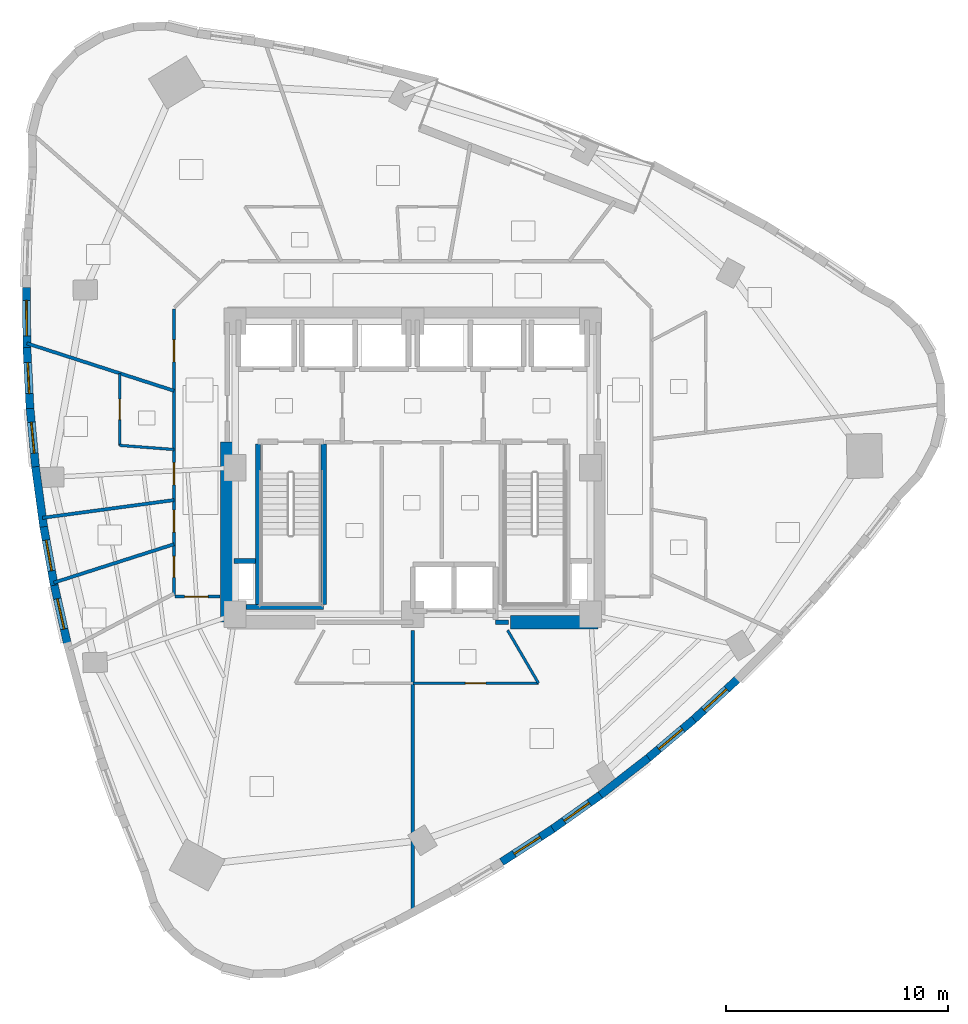
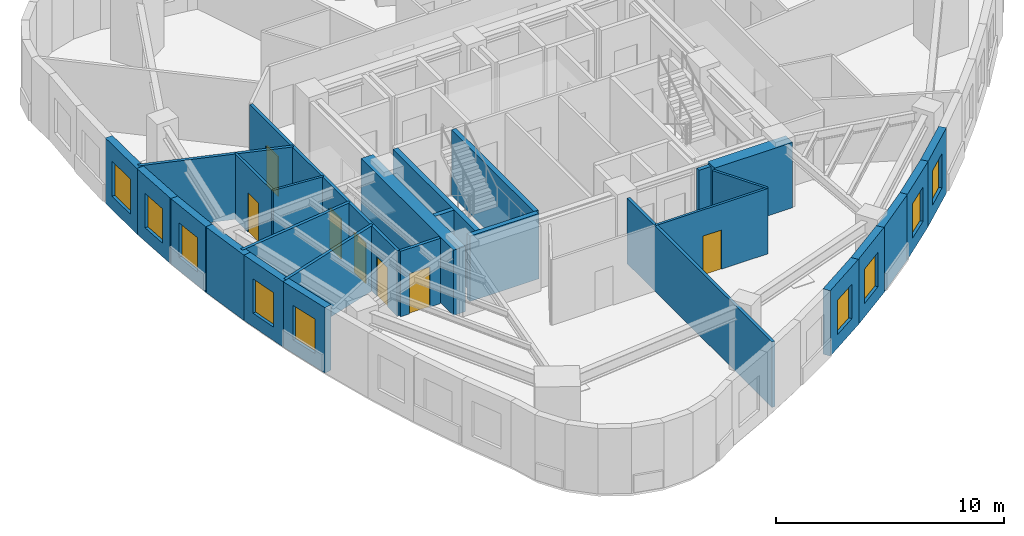
# One storey, part 6 of 12: 28 walls, 9 windows, 7 doors, 16 openings.
"""IFC4 building model written with IfcOpenShell, lengths in metres."""

from ifc_helpers import new_model, si_unit, direction, frame, frame_2d, origin, place, context, subcontext, project, spatial, rectangle, extrude, material, layer, layer_set, type_object, element, fill, save


model = new_model("IFC4")

# Units and contexts
model_context = context("Model", 3, precision=1e-05, world=origin(), true_north=direction((0.0, 1.0)))
body_context = subcontext(model_context, "Body", "Model", "MODEL_VIEW")
ifc_project = project(units=[si_unit("LENGTHUNIT", "METRE"), si_unit("AREAUNIT", "SQUARE_METRE"), si_unit("VOLUMEUNIT", "CUBIC_METRE"), si_unit("PLANEANGLEUNIT", "RADIAN"), si_unit("MASSUNIT", "GRAM", prefix="KILO")], contexts=[model_context])

# Site, building, storey
site_placement = place(None, origin())
site = spatial("IfcSite", under=ifc_project, at=site_placement, CompositionType="ELEMENT")
building_placement = place(site_placement, origin())
building = spatial("IfcBuilding", under=site, at=building_placement, Name="Ndelora Gate Hotel", CompositionType="ELEMENT")
storey_placement = place(building_placement, frame((0.0, 0.0, 153.5)))
storey = spatial("IfcBuildingStorey", under=building, at=storey_placement, Name="L38", CompositionType="ELEMENT", Elevation=153.5)

# Wall, opening, window
ifc_material_1 = material(Name="Clay Brick Masonry", Category="masonry")
ifc_layer_1 = layer(ifc_material_1, 0.360107421875)
ifc_layer_set_1 = layer_set([ifc_layer_1], Name="Clay Brick Masonry")
wall_type_1 = type_object("IfcWallType", Name="WL-BRICK-360", PredefinedType="SOLIDWALL", material=ifc_layer_set_1)
wall_1_placement = place(storey_placement, frame((-17.373779296875, 5.3603515625, 0.0), z_axis=(0.0, 0.0, 1.0), x_axis=(-0.009381778629, 0.999955990146, 0.0)))
wall_1 = element("IfcWall", 1, at=wall_1_placement, inside=storey, type_object=wall_type_1, Name="L38 Tower Brick Pier-and-Spandrel Wall TWR-11", PredefinedType="SOLIDWALL", context=body_context, shape_type="SweptSolid", body=[
    extrude(rectangle(XDim=2.75830078125, YDim=0.360107421875, at=frame_2d((1.379150390625, 0.0))), origin(), (0.0, 0.0, 1.0), 3.5),
])
opening_1_placement = place(wall_1_placement, frame((0.5791015625, 0.0, 0.719970703125)))
opening_1 = element("IfcOpeningElement", 2, at=opening_1_placement, cuts=wall_1, Name="Opening W01", PredefinedType="OPENING", context=body_context, shape_type="SweptSolid", body=[
    extrude(rectangle(XDim=1.60009765625, YDim=1.8798828125, at=frame_2d((0.800048828125, 0.93994140625))), frame((0.0, 0.18994140625, 0.0), z_axis=(0.0, -1.0, 0.0), x_axis=(1.0, 0.0, 0.0)), (0.0, 0.0, 1.0), 0.380126953125),
])
ifc_material_2 = material(Name="Insulated Low-E Double Glazing in Bronze Aluminium Frame", Category="aluminium")
window_type_1 = type_object("IfcWindowType", Name="WN-DEEP-1600", PartitioningType="SINGLE_PANEL", PredefinedType="WINDOW", material=ifc_material_2)
window_1_placement = place(opening_1_placement, origin())
window_1 = element("IfcWindow", 3, at=window_1_placement, inside=storey, type_object=window_type_1, Name="L38 Deep-Set Brick-Pier Window W01", OverallHeight=1.8798828125, OverallWidth=1.60009765625, PartitioningType="SINGLE_PANEL", PredefinedType="WINDOW", context=body_context, shape_type="SweptSolid", body=[
    extrude(rectangle(XDim=1.60009765625, YDim=1.8798828125, at=frame_2d((0.800048828125, 0.93994140625))), frame((0.0, 0.030029296875, 0.0), z_axis=(0.0, -1.0, 0.0), x_axis=(1.0, 0.0, 0.0)), (0.0, 0.0, 1.0), 0.06005859375),
])
fill(opening_1, window_1)

wall_2_placement = place(storey_placement, frame((-17.23486328125, 2.669921875, 0.0), z_axis=(0.0, 0.0, 1.0), x_axis=(-0.051157869298, 0.998690578913, 0.0)))
wall_2 = element("IfcWall", 4, at=wall_2_placement, inside=storey, type_object=wall_type_1, Name="L38 Tower Brick Pier-and-Spandrel Wall TWR-12", PredefinedType="SOLIDWALL", context=body_context, shape_type="SweptSolid", body=[
    extrude(rectangle(XDim=2.744140625, YDim=0.360107421875, at=frame_2d((1.3720703125, 0.0))), origin(), (0.0, 0.0, 1.0), 3.5),
])
opening_2_placement = place(wall_2_placement, frame((0.672119140625, 0.0, 0.719970703125)))
opening_2 = element("IfcOpeningElement", 5, at=opening_2_placement, cuts=wall_2, Name="Opening W02", PredefinedType="OPENING", context=body_context, shape_type="SweptSolid", body=[
    extrude(rectangle(XDim=1.39990234375, YDim=1.840087890625, at=frame_2d((0.699951171875, 0.919921875))), frame((0.0, 0.18994140625, 0.0), z_axis=(0.0, -1.0, 0.0), x_axis=(1.0, 0.0, 0.0)), (0.0, 0.0, 1.0), 0.380126953125),
])
window_type_2 = type_object("IfcWindowType", Name="WN-DEEP-1400", PartitioningType="SINGLE_PANEL", PredefinedType="WINDOW", material=ifc_material_2)
window_2_placement = place(opening_2_placement, origin())
window_2 = element("IfcWindow", 6, at=window_2_placement, inside=storey, type_object=window_type_2, Name="L38 Deep-Set Brick-Pier Window W02", OverallHeight=1.840087890625, OverallWidth=1.39990234375, PartitioningType="SINGLE_PANEL", PredefinedType="WINDOW", context=body_context, shape_type="SweptSolid", body=[
    extrude(rectangle(XDim=1.39990234375, YDim=1.840087890625, at=frame_2d((0.699951171875, 0.919921875))), frame((0.0, 0.030029296875, 0.0), z_axis=(0.0, -1.0, 0.0), x_axis=(1.0, 0.0, 0.0)), (0.0, 0.0, 1.0), 0.06005859375),
])
fill(opening_2, window_2)

wall_3_placement = place(storey_placement, frame((-16.9833984375, -0.002685546875, 0.0), z_axis=(0.0, 0.0, 1.0), x_axis=(-0.09321624124, 0.995645887035, 0.0)))
wall_3 = element("IfcWall", 7, at=wall_3_placement, inside=storey, type_object=wall_type_1, Name="L38 Tower Brick Pier-and-Spandrel Wall TWR-13", PredefinedType="SOLIDWALL", context=body_context, shape_type="SweptSolid", body=[
    extrude(rectangle(XDim=2.734375, YDim=0.360107421875, at=frame_2d((1.3671875, 0.0))), origin(), (0.0, 0.0, 1.0), 3.5),
])
opening_3_placement = place(wall_3_placement, frame((0.667236328125, 0.0, 0.719970703125)))
opening_3 = element("IfcOpeningElement", 8, at=opening_3_placement, cuts=wall_3, Name="Opening W02", PredefinedType="OPENING", context=body_context, shape_type="SweptSolid", body=[
    extrude(rectangle(XDim=1.39990234375, YDim=1.840087890625, at=frame_2d((0.699951171875, 0.919921875))), frame((0.0, 0.18994140625, 0.0), z_axis=(0.0, -1.0, 0.0), x_axis=(1.0, 0.0, 0.0)), (0.0, 0.0, 1.0), 0.380126953125),
])
window_3_placement = place(opening_3_placement, origin())
window_3 = element("IfcWindow", 9, at=window_3_placement, inside=storey, type_object=window_type_2, Name="L38 Deep-Set Brick-Pier Window W02", OverallHeight=1.840087890625, OverallWidth=1.39990234375, PartitioningType="SINGLE_PANEL", PredefinedType="WINDOW", context=body_context, shape_type="SweptSolid", body=[
    extrude(rectangle(XDim=1.39990234375, YDim=1.840087890625, at=frame_2d((0.699951171875, 0.919921875))), frame((0.0, 0.030029296875, 0.0), z_axis=(0.0, -1.0, 0.0), x_axis=(1.0, 0.0, 0.0)), (0.0, 0.0, 1.0), 0.06005859375),
])
fill(opening_3, window_3)

# Wall
wall_4_placement = place(storey_placement, frame((-16.61962890625, -2.65771484375, 0.0), z_axis=(0.0, 0.0, 1.0), x_axis=(-0.135408542402, 0.99078984989, 0.0)))
element("IfcWall", 10, at=wall_4_placement, inside=storey, type_object=wall_type_1, Name="L38 Tower Brick Pier-and-Spandrel Wall TWR-14", PredefinedType="SOLIDWALL", context=body_context, shape_type="SweptSolid", body=[
    extrude(rectangle(XDim=2.729736328125, YDim=0.360107421875, at=frame_2d((1.36474609375, 0.0))), origin(), (0.0, 0.0, 1.0), 3.5),
])

# Wall, opening, window
wall_5_placement = place(storey_placement, frame((-16.143310546875, -5.29443359375, 0.0), z_axis=(0.0, 0.0, 1.0), x_axis=(-0.177366119488, 0.984144938339, 0.0)))
wall_5 = element("IfcWall", 11, at=wall_5_placement, inside=storey, type_object=wall_type_1, Name="L38 Tower Brick Pier-and-Spandrel Wall TWR-15", PredefinedType="SOLIDWALL", context=body_context, shape_type="SweptSolid", body=[
    extrude(rectangle(XDim=2.7294921875, YDim=0.360107421875, at=frame_2d((1.36474609375, 0.0))), origin(), (0.0, 0.0, 1.0), 3.5),
])
opening_4_placement = place(wall_5_placement, frame((0.664794921875, 0.0, 0.719970703125)))
opening_4 = element("IfcOpeningElement", 12, at=opening_4_placement, cuts=wall_5, Name="Opening W02", PredefinedType="OPENING", context=body_context, shape_type="SweptSolid", body=[
    extrude(rectangle(XDim=1.39990234375, YDim=1.840087890625, at=frame_2d((0.699951171875, 0.919921875))), frame((0.0, 0.18994140625, 0.0), z_axis=(0.0, -1.0, 0.0), x_axis=(1.0, 0.0, 0.0)), (0.0, 0.0, 1.0), 0.380126953125),
])
window_4_placement = place(opening_4_placement, origin())
window_4 = element("IfcWindow", 13, at=window_4_placement, inside=storey, type_object=window_type_2, Name="L38 Deep-Set Brick-Pier Window W02", OverallHeight=1.840087890625, OverallWidth=1.39990234375, PartitioningType="SINGLE_PANEL", PredefinedType="WINDOW", context=body_context, shape_type="SweptSolid", body=[
    extrude(rectangle(XDim=1.39990234375, YDim=1.840087890625, at=frame_2d((0.699951171875, 0.919921875))), frame((0.0, 0.030029296875, 0.0), z_axis=(0.0, -1.0, 0.0), x_axis=(1.0, 0.0, 0.0)), (0.0, 0.0, 1.0), 0.06005859375),
])
fill(opening_4, window_4)

wall_6_placement = place(storey_placement, frame((-15.55419921875, -7.91357421875, 0.0), z_axis=(0.0, 0.0, 1.0), x_axis=(-0.219019260065, 0.975720535666, 0.0)))
wall_6 = element("IfcWall", 14, at=wall_6_placement, inside=storey, type_object=wall_type_1, Name="L38 Tower Brick Pier-and-Spandrel Wall TWR-16", PredefinedType="SOLIDWALL", context=body_context, shape_type="SweptSolid", body=[
    extrude(rectangle(XDim=2.734375, YDim=0.360107421875, at=frame_2d((1.3671875, 0.0))), origin(), (0.0, 0.0, 1.0), 3.5),
])
opening_5_placement = place(wall_6_placement, frame((0.667236328125, 0.0, 0.719970703125)))
opening_5 = element("IfcOpeningElement", 15, at=opening_5_placement, cuts=wall_6, Name="Opening W02", PredefinedType="OPENING", context=body_context, shape_type="SweptSolid", body=[
    extrude(rectangle(XDim=1.39990234375, YDim=1.840087890625, at=frame_2d((0.699951171875, 0.919921875))), frame((0.0, 0.18994140625, 0.0), z_axis=(0.0, -1.0, 0.0), x_axis=(1.0, 0.0, 0.0)), (0.0, 0.0, 1.0), 0.380126953125),
])
window_5_placement = place(opening_5_placement, origin())
window_5 = element("IfcWindow", 16, at=window_5_placement, inside=storey, type_object=window_type_2, Name="L38 Deep-Set Brick-Pier Window W02", OverallHeight=1.840087890625, OverallWidth=1.39990234375, PartitioningType="SINGLE_PANEL", PredefinedType="WINDOW", context=body_context, shape_type="SweptSolid", body=[
    extrude(rectangle(XDim=1.39990234375, YDim=1.840087890625, at=frame_2d((0.699951171875, 0.919921875))), frame((0.0, 0.030029296875, 0.0), z_axis=(0.0, -1.0, 0.0), x_axis=(1.0, 0.0, 0.0)), (0.0, 0.0, 1.0), 0.06005859375),
])
fill(opening_5, window_5)

wall_7_placement = place(storey_placement, frame((6.305419921875, -16.2607421875, 0.0), z_axis=(0.0, 0.0, 1.0), x_axis=(-0.839300336379, -0.543668047023, 0.0)))
wall_7 = element("IfcWall", 17, at=wall_7_placement, inside=storey, type_object=wall_type_1, Name="L38 Tower Brick Pier-and-Spandrel Wall TWR-32", PredefinedType="SOLIDWALL", context=body_context, shape_type="SweptSolid", body=[
    extrude(rectangle(XDim=2.744140625, YDim=0.360107421875, at=frame_2d((1.3720703125, 0.0))), origin(), (0.0, 0.0, 1.0), 3.5),
])
opening_6_placement = place(wall_7_placement, frame((0.672119140625, 0.0, 0.719970703125)))
opening_6 = element("IfcOpeningElement", 18, at=opening_6_placement, cuts=wall_7, Name="Opening W02", PredefinedType="OPENING", context=body_context, shape_type="SweptSolid", body=[
    extrude(rectangle(XDim=1.39990234375, YDim=1.840087890625, at=frame_2d((0.699951171875, 0.919921875))), frame((0.0, 0.18994140625, 0.0), z_axis=(0.0, -1.0, 0.0), x_axis=(1.0, 0.0, 0.0)), (0.0, 0.0, 1.0), 0.380126953125),
])
window_6_placement = place(opening_6_placement, origin())
window_6 = element("IfcWindow", 19, at=window_6_placement, inside=storey, type_object=window_type_2, Name="L38 Deep-Set Brick-Pier Window W02", OverallHeight=1.840087890625, OverallWidth=1.39990234375, PartitioningType="SINGLE_PANEL", PredefinedType="WINDOW", context=body_context, shape_type="SweptSolid", body=[
    extrude(rectangle(XDim=1.39990234375, YDim=1.840087890625, at=frame_2d((0.699951171875, 0.919921875))), frame((0.0, 0.030029296875, 0.0), z_axis=(0.0, -1.0, 0.0), x_axis=(1.0, 0.0, 0.0)), (0.0, 0.0, 1.0), 0.06005859375),
])
fill(opening_6, window_6)

wall_8_placement = place(storey_placement, frame((8.494140625, -14.706787109375, 0.0), z_axis=(0.0, 0.0, 1.0), x_axis=(-0.815629470239, -0.578574599579, 0.0)))
wall_8 = element("IfcWall", 20, at=wall_8_placement, inside=storey, type_object=wall_type_1, Name="L38 Tower Brick Pier-and-Spandrel Wall TWR-33", PredefinedType="SOLIDWALL", context=body_context, shape_type="SweptSolid", body=[
    extrude(rectangle(XDim=2.734375, YDim=0.360107421875, at=frame_2d((1.3671875, 0.0))), origin(), (0.0, 0.0, 1.0), 3.5),
])
opening_7_placement = place(wall_8_placement, frame((0.667236328125, 0.0, 0.719970703125)))
opening_7 = element("IfcOpeningElement", 21, at=opening_7_placement, cuts=wall_8, Name="Opening W02", PredefinedType="OPENING", context=body_context, shape_type="SweptSolid", body=[
    extrude(rectangle(XDim=1.39990234375, YDim=1.840087890625, at=frame_2d((0.699951171875, 0.919921875))), frame((0.0, 0.18994140625, 0.0), z_axis=(0.0, -1.0, 0.0), x_axis=(1.0, 0.0, 0.0)), (0.0, 0.0, 1.0), 0.380126953125),
])
window_7_placement = place(opening_7_placement, origin())
window_7 = element("IfcWindow", 22, at=window_7_placement, inside=storey, type_object=window_type_2, Name="L38 Deep-Set Brick-Pier Window W02", OverallHeight=1.840087890625, OverallWidth=1.39990234375, PartitioningType="SINGLE_PANEL", PredefinedType="WINDOW", context=body_context, shape_type="SweptSolid", body=[
    extrude(rectangle(XDim=1.39990234375, YDim=1.840087890625, at=frame_2d((0.699951171875, 0.919921875))), frame((0.0, 0.030029296875, 0.0), z_axis=(0.0, -1.0, 0.0), x_axis=(1.0, 0.0, 0.0)), (0.0, 0.0, 1.0), 0.06005859375),
])
fill(opening_7, window_7)

# Wall
wall_9_placement = place(storey_placement, frame((10.611328125, -13.064208984375, 0.0), z_axis=(0.0, 0.0, 1.0), x_axis=(-0.790324098026, -0.612689007637, 0.0)))
element("IfcWall", 23, at=wall_9_placement, inside=storey, type_object=wall_type_1, Name="L38 Tower Brick Pier-and-Spandrel Wall TWR-34", PredefinedType="SOLIDWALL", context=body_context, shape_type="SweptSolid", body=[
    extrude(rectangle(XDim=2.7294921875, YDim=0.360107421875, at=frame_2d((1.36474609375, 0.0))), origin(), (0.0, 0.0, 1.0), 3.5),
])

# Wall, opening, window
wall_10_placement = place(storey_placement, frame((12.65673828125, -11.333251953125, 0.0), z_axis=(0.0, 0.0, 1.0), x_axis=(-0.76358981137, -0.645701633862, 0.0)))
wall_10 = element("IfcWall", 24, at=wall_10_placement, inside=storey, type_object=wall_type_1, Name="L38 Tower Brick Pier-and-Spandrel Wall TWR-35", PredefinedType="SOLIDWALL", context=body_context, shape_type="SweptSolid", body=[
    extrude(rectangle(XDim=2.7294921875, YDim=0.360107421875, at=frame_2d((1.36474609375, 0.0))), origin(), (0.0, 0.0, 1.0), 3.5),
])
opening_8_placement = place(wall_10_placement, frame((0.664794921875, 0.0, 0.719970703125)))
opening_8 = element("IfcOpeningElement", 25, at=opening_8_placement, cuts=wall_10, Name="Opening W02", PredefinedType="OPENING", context=body_context, shape_type="SweptSolid", body=[
    extrude(rectangle(XDim=1.39990234375, YDim=1.840087890625, at=frame_2d((0.699951171875, 0.919921875))), frame((0.0, 0.18994140625, 0.0), z_axis=(0.0, -1.0, 0.0), x_axis=(1.0, 0.0, 0.0)), (0.0, 0.0, 1.0), 0.380126953125),
])
window_8_placement = place(opening_8_placement, origin())
window_8 = element("IfcWindow", 26, at=window_8_placement, inside=storey, type_object=window_type_2, Name="L38 Deep-Set Brick-Pier Window W02", OverallHeight=1.840087890625, OverallWidth=1.39990234375, PartitioningType="SINGLE_PANEL", PredefinedType="WINDOW", context=body_context, shape_type="SweptSolid", body=[
    extrude(rectangle(XDim=1.39990234375, YDim=1.840087890625, at=frame_2d((0.699951171875, 0.919921875))), frame((0.0, 0.030029296875, 0.0), z_axis=(0.0, -1.0, 0.0), x_axis=(1.0, 0.0, 0.0)), (0.0, 0.0, 1.0), 0.06005859375),
])
fill(opening_8, window_8)

wall_11_placement = place(storey_placement, frame((14.630615234375, -9.513671875, 0.0), z_axis=(0.0, 0.0, 1.0), x_axis=(-0.735528713193, -0.677493551312, 0.0)))
wall_11 = element("IfcWall", 27, at=wall_11_placement, inside=storey, type_object=wall_type_1, Name="L38 Tower Brick Pier-and-Spandrel Wall TWR-36", PredefinedType="SOLIDWALL", context=body_context, shape_type="SweptSolid", body=[
    extrude(rectangle(XDim=2.734375, YDim=0.360107421875, at=frame_2d((1.3671875, 0.0))), origin(), (0.0, 0.0, 1.0), 3.5),
])
opening_9_placement = place(wall_11_placement, frame((0.667236328125, 0.0, 0.719970703125)))
opening_9 = element("IfcOpeningElement", 28, at=opening_9_placement, cuts=wall_11, Name="Opening W02", PredefinedType="OPENING", context=body_context, shape_type="SweptSolid", body=[
    extrude(rectangle(XDim=1.39990234375, YDim=1.840087890625, at=frame_2d((0.699951171875, 0.919921875))), frame((0.0, 0.18994140625, 0.0), z_axis=(0.0, -1.0, 0.0), x_axis=(1.0, 0.0, 0.0)), (0.0, 0.0, 1.0), 0.380126953125),
])
window_9_placement = place(opening_9_placement, origin())
window_9 = element("IfcWindow", 29, at=window_9_placement, inside=storey, type_object=window_type_2, Name="L38 Deep-Set Brick-Pier Window W02", OverallHeight=1.840087890625, OverallWidth=1.39990234375, PartitioningType="SINGLE_PANEL", PredefinedType="WINDOW", context=body_context, shape_type="SweptSolid", body=[
    extrude(rectangle(XDim=1.39990234375, YDim=1.840087890625, at=frame_2d((0.699951171875, 0.919921875))), frame((0.0, 0.030029296875, 0.0), z_axis=(0.0, -1.0, 0.0), x_axis=(1.0, 0.0, 0.0)), (0.0, 0.0, 1.0), 0.06005859375),
])
fill(opening_9, window_9)

# Walls
ifc_material_3 = material(Name="Concrete C60/75", Category="concrete")
ifc_layer_2 = layer(ifc_material_3, 0.60009765625)
ifc_layer_set_2 = layer_set([ifc_layer_2], Name="Concrete C60/75")
wall_type_2 = type_object("IfcWallType", Name="WL-CORE-600", PredefinedType="SHEAR", material=ifc_layer_set_2)
wall_12_placement = place(storey_placement, frame((4.39990234375, -6.949951171875, 0.0), z_axis=(0.0, 0.0, 1.0), x_axis=(1.0, 0.0, 0.0)))
element("IfcWall", 30, at=wall_12_placement, inside=storey, type_object=wall_type_2, Name="L38 Core Shear Wall S-E", PredefinedType="SHEAR", context=body_context, shape_type="SweptSolid", body=[
    extrude(rectangle(XDim=3.9501953125, YDim=0.60009765625, at=frame_2d((1.97509765625, 0.0))), origin(), (0.0, 0.0, 1.0), 3.5),
])
wall_13_placement = place(storey_placement, frame((-8.35009765625, -6.949951171875, 0.0), z_axis=(0.0, 0.0, 1.0), x_axis=(0.0, 1.0, 0.0)))
element("IfcWall", 31, at=wall_13_placement, inside=storey, type_object=wall_type_2, Name="L38 Core Shear Wall W", PredefinedType="SHEAR", context=body_context, shape_type="SweptSolid", body=[
    extrude(rectangle(XDim=8.099853515625, YDim=0.60009765625, at=frame_2d((4.0498046875, 0.0))), origin(), (0.0, 0.0, 1.0), 3.5),
])
ifc_material_4 = material(Name="Concrete C40/50", Category="concrete")
ifc_layer_3 = layer(ifc_material_4, 0.199951171875)
ifc_layer_set_3 = layer_set([ifc_layer_3], Name="Concrete C40/50")
wall_type_3 = type_object("IfcWallType", Name="WL-FIRE-200", PredefinedType="PARTITIONING", material=ifc_layer_set_3)
wall_14_placement = place(storey_placement, frame((3.719970703125, -6.949951171875, 0.0), z_axis=(0.0, 0.0, 1.0), x_axis=(1.0, 0.0, 0.0)))
element("IfcWall", 32, at=wall_14_placement, inside=storey, type_object=wall_type_3, Name="L38 Interior Wall IW-2", PredefinedType="PARTITIONING", context=body_context, shape_type="SweptSolid", body=[
    extrude(rectangle(XDim=0.60009765625, YDim=0.199951171875, at=frame_2d((0.300048828125, 0.0))), origin(), (0.0, 0.0, 1.0), 3.5),
])

# Wall, opening, door
ifc_material_5 = material(Name="Fire-Rated Gypsum Stud Partition", Category="gypsum")
ifc_layer_4 = layer(ifc_material_5, 0.14990234375)
ifc_layer_set_4 = layer_set([ifc_layer_4], Name="Fire-Rated Gypsum Stud Partition")
wall_type_4 = type_object("IfcWallType", Name="WL-PART-150", PredefinedType="PARTITIONING", material=ifc_layer_set_4)
wall_15_placement = place(storey_placement, frame((-8.68994140625, -5.800048828125, 0.0), z_axis=(0.0, 0.0, 1.0), x_axis=(-1.0, 0.0, 0.0)))
wall_15 = element("IfcWall", 33, at=wall_15_placement, inside=storey, type_object=wall_type_4, Name="L38 Interior Wall IW-5", PredefinedType="PARTITIONING", context=body_context, shape_type="SweptSolid", body=[
    extrude(rectangle(XDim=2.02001953125, YDim=0.14990234375, at=frame_2d((1.010009765625, 0.0))), origin(), (0.0, 0.0, 1.0), 3.5),
])
opening_10_placement = place(wall_15_placement, frame((0.52001953125, 0.0, 0.0)))
opening_10 = element("IfcOpeningElement", 34, at=opening_10_placement, cuts=wall_15, Name="Opening D07", PredefinedType="OPENING", context=body_context, shape_type="SweptSolid", body=[
    extrude(rectangle(XDim=1.06005859375, YDim=2.14990234375, at=frame_2d((0.530029296875, 1.074951171875))), frame((0.0, 0.0849609375, 0.0), z_axis=(0.0, -1.0, 0.0), x_axis=(1.0, 0.0, 0.0)), (0.0, 0.0, 1.0), 0.169921875),
])
ifc_material_6 = material(Name="Diplomatic Suite Acoustic Entrance Door", Category="wood")
door_type_1 = type_object("IfcDoorType", Name="DR-SUITE-1060", OperationType="SINGLE_SWING_LEFT", PredefinedType="DOOR", material=ifc_material_6)
door_1_placement = place(opening_10_placement, origin())
door_1 = element("IfcDoor", 35, at=door_1_placement, inside=storey, type_object=door_type_1, Name="L38 Club King Corner Suite 4101 Entrance Door", OperationType="SINGLE_SWING_RIGHT", OverallHeight=2.14990234375, OverallWidth=1.06005859375, PredefinedType="DOOR", context=body_context, shape_type="SweptSolid", body=[
    extrude(rectangle(XDim=1.06005859375, YDim=2.14990234375, at=frame_2d((0.530029296875, 1.074951171875))), frame((0.0, 0.02490234375, 0.0), z_axis=(0.0, -1.0, 0.0), x_axis=(1.0, 0.0, 0.0)), (0.0, 0.0, 1.0), 0.050048828125),
])
fill(opening_10, door_1)

# Wall, openings, doors
wall_16_placement = place(storey_placement, frame((-10.75, -5.760009765625, 0.0), z_axis=(0.0, 0.0, 1.0), x_axis=(0.0, 1.0, 0.0)))
wall_16 = element("IfcWall", 36, at=wall_16_placement, inside=storey, type_object=wall_type_4, Name="L38 Interior Wall IW-5", PredefinedType="PARTITIONING", context=body_context, shape_type="SweptSolid", body=[
    extrude(rectangle(XDim=12.919921875, YDim=0.14990234375, at=frame_2d((6.4599609375, 0.0))), origin(), (0.0, 0.0, 1.0), 3.5),
])
opening_11_placement = place(wall_16_placement, frame((0.82421875, 0.0, 0.0)))
opening_11 = element("IfcOpeningElement", 37, at=opening_11_placement, cuts=wall_16, Name="Opening D05", PredefinedType="OPENING", context=body_context, shape_type="SweptSolid", body=[
    extrude(rectangle(XDim=0.949951171875, YDim=2.10009765625, at=frame_2d((0.47509765625, 1.050048828125))), frame((0.0, 0.0849609375, 0.0), z_axis=(0.0, -1.0, 0.0), x_axis=(1.0, 0.0, 0.0)), (0.0, 0.0, 1.0), 0.169921875),
])
opening_12_placement = place(wall_16_placement, frame((2.85791015625, 0.0, 0.0)))
opening_12 = element("IfcOpeningElement", 38, at=opening_12_placement, cuts=wall_16, Name="Opening D01", PredefinedType="OPENING", context=body_context, shape_type="SweptSolid", body=[
    extrude(rectangle(XDim=1.0, YDim=2.14990234375, at=frame_2d((0.5, 1.074951171875))), frame((0.0, 0.0849609375, 0.0), z_axis=(0.0, -1.0, 0.0), x_axis=(1.0, 0.0, 0.0)), (0.0, 0.0, 1.0), 0.169921875),
])
opening_13_placement = place(wall_16_placement, frame((4.992431640625, 0.0, 0.0)))
opening_13 = element("IfcOpeningElement", 39, at=opening_13_placement, cuts=wall_16, Name="Opening D01", PredefinedType="OPENING", context=body_context, shape_type="SweptSolid", body=[
    extrude(rectangle(XDim=1.0, YDim=2.14990234375, at=frame_2d((0.5, 1.074951171875))), frame((0.0, 0.0849609375, 0.0), z_axis=(0.0, -1.0, 0.0), x_axis=(1.0, 0.0, 0.0)), (0.0, 0.0, 1.0), 0.169921875),
])
opening_14_placement = place(wall_16_placement, frame((10.52294921875, 0.0, 0.0)))
opening_14 = element("IfcOpeningElement", 40, at=opening_14_placement, cuts=wall_16, Name="Opening D01", PredefinedType="OPENING", context=body_context, shape_type="SweptSolid", body=[
    extrude(rectangle(XDim=1.0, YDim=2.14990234375, at=frame_2d((0.5, 1.074951171875))), frame((0.0, 0.0849609375, 0.0), z_axis=(0.0, -1.0, 0.0), x_axis=(1.0, 0.0, 0.0)), (0.0, 0.0, 1.0), 0.169921875),
])
ifc_material_7 = material(Name="Accessible Restroom Wide-Clearance Door", Category="wood")
door_type_2 = type_object("IfcDoorType", Name="DR-ACC-950", OperationType="SINGLE_SWING_LEFT", PredefinedType="DOOR", material=ifc_material_7)
door_2_placement = place(opening_11_placement, origin())
door_2 = element("IfcDoor", 41, at=door_2_placement, inside=storey, type_object=door_type_2, Name="L38 Accessible WC Entrance Door", OperationType="SINGLE_SWING_RIGHT", OverallHeight=2.10009765625, OverallWidth=0.949951171875, PredefinedType="DOOR", context=body_context, shape_type="SweptSolid", body=[
    extrude(rectangle(XDim=0.949951171875, YDim=2.10009765625, at=frame_2d((0.47509765625, 1.050048828125))), frame((0.0, 0.02490234375, 0.0), z_axis=(0.0, -1.0, 0.0), x_axis=(1.0, 0.0, 0.0)), (0.0, 0.0, 1.0), 0.050048828125),
])
fill(opening_11, door_2)
ifc_material_8 = material(Name="Acoustic Hardwood Guest Entrance Door", Category="wood")
door_type_3 = type_object("IfcDoorType", Name="DR-COR-1000", OperationType="SINGLE_SWING_LEFT", PredefinedType="DOOR", material=ifc_material_8)
door_3_placement = place(opening_12_placement, origin())
door_3 = element("IfcDoor", 42, at=door_3_placement, inside=storey, type_object=door_type_3, Name="L38 Housekeeping and Linen Room Entrance Door", OperationType="SINGLE_SWING_LEFT", OverallHeight=2.14990234375, OverallWidth=1.0, PredefinedType="DOOR", context=body_context, shape_type="SweptSolid", body=[
    extrude(rectangle(XDim=1.0, YDim=2.14990234375, at=frame_2d((0.5, 1.074951171875))), frame((0.0, 0.02490234375, 0.0), z_axis=(0.0, -1.0, 0.0), x_axis=(1.0, 0.0, 0.0)), (0.0, 0.0, 1.0), 0.050048828125),
])
fill(opening_12, door_3)
door_4_placement = place(opening_13_placement, origin())
door_4 = element("IfcDoor", 43, at=door_4_placement, inside=storey, type_object=door_type_3, Name="L38 Club Twin Guest Room 4107 Entrance Door", OperationType="SINGLE_SWING_LEFT", OverallHeight=2.14990234375, OverallWidth=1.0, PredefinedType="DOOR", context=body_context, shape_type="SweptSolid", body=[
    extrude(rectangle(XDim=1.0, YDim=2.14990234375, at=frame_2d((0.5, 1.074951171875))), frame((0.0, 0.02490234375, 0.0), z_axis=(0.0, -1.0, 0.0), x_axis=(1.0, 0.0, 0.0)), (0.0, 0.0, 1.0), 0.050048828125),
])
fill(opening_13, door_4)
door_5_placement = place(opening_14_placement, origin())
door_5 = element("IfcDoor", 44, at=door_5_placement, inside=storey, type_object=door_type_3, Name="L38 Quiet Reading Library Entrance Door", OperationType="SINGLE_SWING_LEFT", OverallHeight=2.14990234375, OverallWidth=1.0, PredefinedType="DOOR", context=body_context, shape_type="SweptSolid", body=[
    extrude(rectangle(XDim=1.0, YDim=2.14990234375, at=frame_2d((0.5, 1.074951171875))), frame((0.0, 0.02490234375, 0.0), z_axis=(0.0, -1.0, 0.0), x_axis=(1.0, 0.0, 0.0)), (0.0, 0.0, 1.0), 0.050048828125),
])
fill(opening_14, door_5)

# Walls
wall_17_placement = place(storey_placement, frame((0.0, -7.320068359375, 0.0), z_axis=(0.0, 0.0, 1.0), x_axis=(0.0, -1.0, 0.0)))
element("IfcWall", 45, at=wall_17_placement, inside=storey, type_object=wall_type_4, Name="L38 Interior Wall IW-5", PredefinedType="PARTITIONING", context=body_context, shape_type="SweptSolid", body=[
    extrude(rectangle(XDim=12.7001953125, YDim=0.14990234375, at=frame_2d((6.35009765625, 0.0))), origin(), (0.0, 0.0, 1.0), 3.5),
])
wall_18_placement = place(storey_placement, frame((-10.75, 3.4658203125, 0.0), z_axis=(0.0, 0.0, 1.0), x_axis=(-0.951758183767, 0.306849082828, 0.0)))
element("IfcWall", 46, at=wall_18_placement, inside=storey, type_object=wall_type_4, Name="L38 Interior Wall IW-5", PredefinedType="PARTITIONING", context=body_context, shape_type="SweptSolid", body=[
    extrude(rectangle(XDim=6.9619140625, YDim=0.14990234375, at=frame_2d((3.48095703125, 0.0))), origin(), (0.0, 0.0, 1.0), 3.5),
])
wall_19_placement = place(storey_placement, frame((-10.75, -1.45458984375, 0.0), z_axis=(0.0, 0.0, 1.0), x_axis=(-0.990972499341, -0.134065303306, 0.0)))
element("IfcWall", 47, at=wall_19_placement, inside=storey, type_object=wall_type_4, Name="L38 Interior Wall IW-5", PredefinedType="PARTITIONING", context=body_context, shape_type="SweptSolid", body=[
    extrude(rectangle(XDim=5.978515625, YDim=0.14990234375, at=frame_2d((2.9892578125, 0.0))), origin(), (0.0, 0.0, 1.0), 3.5),
])
wall_20_placement = place(storey_placement, frame((-10.75, -3.441650390625, 0.0), z_axis=(0.0, 0.0, 1.0), x_axis=(-0.952377767895, -0.304920624457, 0.0)))
element("IfcWall", 48, at=wall_20_placement, inside=storey, type_object=wall_type_4, Name="L38 Interior Wall IW-5", PredefinedType="PARTITIONING", context=body_context, shape_type="SweptSolid", body=[
    extrude(rectangle(XDim=5.685546875, YDim=0.14990234375, at=frame_2d((2.8427734375, 0.0))), origin(), (0.0, 0.0, 1.0), 3.5),
])
ifc_layer_5 = layer(ifc_material_4, 0.219970703125)
ifc_layer_set_5 = layer_set([ifc_layer_5], Name="Concrete C40/50")
wall_type_5 = type_object("IfcWallType", Name="WL-SHAFT-220", PredefinedType="PARTITIONING", material=ifc_layer_set_5)
wall_21_placement = place(storey_placement, frame((-8.050048828125, -4.199951171875, 0.0), z_axis=(0.0, 0.0, 1.0), x_axis=(1.0, 0.0, 0.0)))
element("IfcWall", 49, at=wall_21_placement, inside=storey, type_object=wall_type_5, Name="L38 Interior Wall IW-1", PredefinedType="PARTITIONING", context=body_context, shape_type="SweptSolid", body=[
    extrude(rectangle(XDim=0.9599609375, YDim=0.219970703125, at=frame_2d((0.47998046875, 0.0))), origin(), (0.0, 0.0, 1.0), 3.5),
])
ifc_material_9 = material(Name="Concrete C50/60", Category="concrete")
ifc_layer_6 = layer(ifc_material_9, 0.239990234375)
ifc_layer_set_6 = layer_set([ifc_layer_6], Name="Concrete C50/60")
wall_type_6 = type_object("IfcWallType", Name="WL-STAIR-240", PredefinedType="SHEAR", material=ifc_layer_set_6)
wall_22_placement = place(storey_placement, frame((-6.969970703125, -6.159912109375, 0.0), z_axis=(0.0, 0.0, 1.0), x_axis=(0.0, 1.0, 0.0)))
element("IfcWall", 50, at=wall_22_placement, inside=storey, type_object=wall_type_6, Name="L38 Stair Core Shear Wall SW-ST", PredefinedType="SHEAR", context=body_context, shape_type="SweptSolid", body=[
    extrude(rectangle(XDim=7.219970703125, YDim=0.239990234375, at=frame_2d((3.60986328125, 0.0))), origin(), (0.0, 0.0, 1.0), 3.5),
])
wall_23_placement = place(storey_placement, frame((-7.5, -6.27001953125, 0.0), z_axis=(0.0, 0.0, 1.0), x_axis=(1.0, 0.0, 0.0)))
element("IfcWall", 51, at=wall_23_placement, inside=storey, type_object=wall_type_6, Name="L38 Stair Core Shear Wall SW-ST", PredefinedType="SHEAR", context=body_context, shape_type="SweptSolid", body=[
    extrude(rectangle(XDim=3.489990234375, YDim=0.239990234375, at=frame_2d((1.7451171875, 0.0))), origin(), (0.0, 0.0, 1.0), 3.5),
])
wall_24_placement = place(storey_placement, frame((-4.010009765625, -6.159912109375, 0.0), z_axis=(0.0, 0.0, 1.0), x_axis=(0.0, 1.0, 0.0)))
element("IfcWall", 52, at=wall_24_placement, inside=storey, type_object=wall_type_6, Name="L38 Stair Core Shear Wall SW-ST", PredefinedType="SHEAR", context=body_context, shape_type="SweptSolid", body=[
    extrude(rectangle(XDim=7.219970703125, YDim=0.239990234375, at=frame_2d((3.60986328125, 0.0))), origin(), (0.0, 0.0, 1.0), 3.5),
])
ifc_material_10 = material(Name="Moisture-Resistant Bathroom Tile Partition", Category="gypsum")
ifc_layer_7 = layer(ifc_material_10, 0.1201171875)
ifc_layer_set_7 = layer_set([ifc_layer_7], Name="Moisture-Resistant Bathroom Tile Partition")
wall_type_7 = type_object("IfcWallType", Name="WL-WET-120", PredefinedType="PARTITIONING", material=ifc_layer_set_7)
wall_25_placement = place(storey_placement, frame((5.660888671875, -9.699951171875, 0.0), z_axis=(0.0, 0.0, 1.0), x_axis=(-0.50404729756, 0.863676051435, 0.0)))
element("IfcWall", 53, at=wall_25_placement, inside=storey, type_object=wall_type_7, Name="L38 Interior Wall IW-7", PredefinedType="PARTITIONING", context=body_context, shape_type="SweptSolid", body=[
    extrude(rectangle(XDim=2.755615234375, YDim=0.1201171875, at=frame_2d((1.3779296875, 0.0))), origin(), (0.0, 0.0, 1.0), 3.5),
])

# Wall, opening, door
wall_26_placement = place(storey_placement, frame((5.660888671875, -9.699951171875, 0.0), z_axis=(0.0, 0.0, 1.0), x_axis=(-1.0, 0.0, 0.0)))
wall_26 = element("IfcWall", 54, at=wall_26_placement, inside=storey, type_object=wall_type_7, Name="L38 Interior Wall IW-7", PredefinedType="PARTITIONING", context=body_context, shape_type="SweptSolid", body=[
    extrude(rectangle(XDim=5.660888671875, YDim=0.1201171875, at=frame_2d((2.83056640625, 0.0))), origin(), (0.0, 0.0, 1.0), 3.5),
])
opening_15_placement = place(wall_26_placement, frame((2.37060546875, 0.0, 0.0)))
opening_15 = element("IfcOpeningElement", 55, at=opening_15_placement, cuts=wall_26, Name="Opening D03", PredefinedType="OPENING", context=body_context, shape_type="SweptSolid", body=[
    extrude(rectangle(XDim=0.919921875, YDim=2.10009765625, at=frame_2d((0.4599609375, 1.050048828125))), frame((0.0, 0.070068359375, 0.0), z_axis=(0.0, -1.0, 0.0), x_axis=(1.0, 0.0, 0.0)), (0.0, 0.0, 1.0), 0.14013671875),
])
ifc_material_11 = material(Name="Moisture-Resistant Hardwood En-Suite Door", Category="wood")
door_type_4 = type_object("IfcDoorType", Name="DR-BATH-920", OperationType="SINGLE_SWING_LEFT", PredefinedType="DOOR", material=ifc_material_11)
door_6_placement = place(opening_15_placement, origin())
door_6 = element("IfcDoor", 56, at=door_6_placement, inside=storey, type_object=door_type_4, Name="L38 En-suite Bathroom 4102 Door", OperationType="SINGLE_SWING_LEFT", OverallHeight=2.10009765625, OverallWidth=0.919921875, PredefinedType="DOOR", context=body_context, shape_type="SweptSolid", body=[
    extrude(rectangle(XDim=0.919921875, YDim=2.10009765625, at=frame_2d((0.4599609375, 1.050048828125))), frame((0.0, 0.02490234375, 0.0), z_axis=(0.0, -1.0, 0.0), x_axis=(1.0, 0.0, 0.0)), (0.0, 0.0, 1.0), 0.050048828125),
])
fill(opening_15, door_6)

# Wall
wall_27_placement = place(storey_placement, frame((-13.199951171875, 1.008544921875, 0.0), z_axis=(0.0, 0.0, 1.0), x_axis=(0.997091773564, -0.076210203321, 0.0)))
element("IfcWall", 57, at=wall_27_placement, inside=storey, type_object=wall_type_7, Name="L38 Interior Wall IW-7", PredefinedType="PARTITIONING", context=body_context, shape_type="SweptSolid", body=[
    extrude(rectangle(XDim=2.45703125, YDim=0.1201171875, at=frame_2d((1.228515625, 0.0))), origin(), (0.0, 0.0, 1.0), 3.5),
])

# Wall, opening, door
wall_28_placement = place(storey_placement, frame((-13.199951171875, 1.008544921875, 0.0), z_axis=(0.0, 0.0, 1.0), x_axis=(0.0, 1.0, 0.0)))
wall_28 = element("IfcWall", 58, at=wall_28_placement, inside=storey, type_object=wall_type_7, Name="L38 Interior Wall IW-7", PredefinedType="PARTITIONING", context=body_context, shape_type="SweptSolid", body=[
    extrude(rectangle(XDim=3.2470703125, YDim=0.1201171875, at=frame_2d((1.62353515625, 0.0))), origin(), (0.0, 0.0, 1.0), 3.5),
])
opening_16_placement = place(wall_28_placement, frame((1.16357421875, 0.0, 0.0)))
opening_16 = element("IfcOpeningElement", 59, at=opening_16_placement, cuts=wall_28, Name="Opening D03", PredefinedType="OPENING", context=body_context, shape_type="SweptSolid", body=[
    extrude(rectangle(XDim=0.919921875, YDim=2.10009765625, at=frame_2d((0.4599609375, 1.050048828125))), frame((0.0, 0.070068359375, 0.0), z_axis=(0.0, -1.0, 0.0), x_axis=(1.0, 0.0, 0.0)), (0.0, 0.0, 1.0), 0.14013671875),
])
door_7_placement = place(opening_16_placement, origin())
door_7 = element("IfcDoor", 60, at=door_7_placement, inside=storey, type_object=door_type_4, Name="L38 En-suite Bathroom 4107 Door", OperationType="SINGLE_SWING_RIGHT", OverallHeight=2.10009765625, OverallWidth=0.919921875, PredefinedType="DOOR", context=body_context, shape_type="SweptSolid", body=[
    extrude(rectangle(XDim=0.919921875, YDim=2.10009765625, at=frame_2d((0.4599609375, 1.050048828125))), frame((0.0, 0.02490234375, 0.0), z_axis=(0.0, -1.0, 0.0), x_axis=(1.0, 0.0, 0.0)), (0.0, 0.0, 1.0), 0.050048828125),
])
fill(opening_16, door_7)

save(model, "model.ifc")
